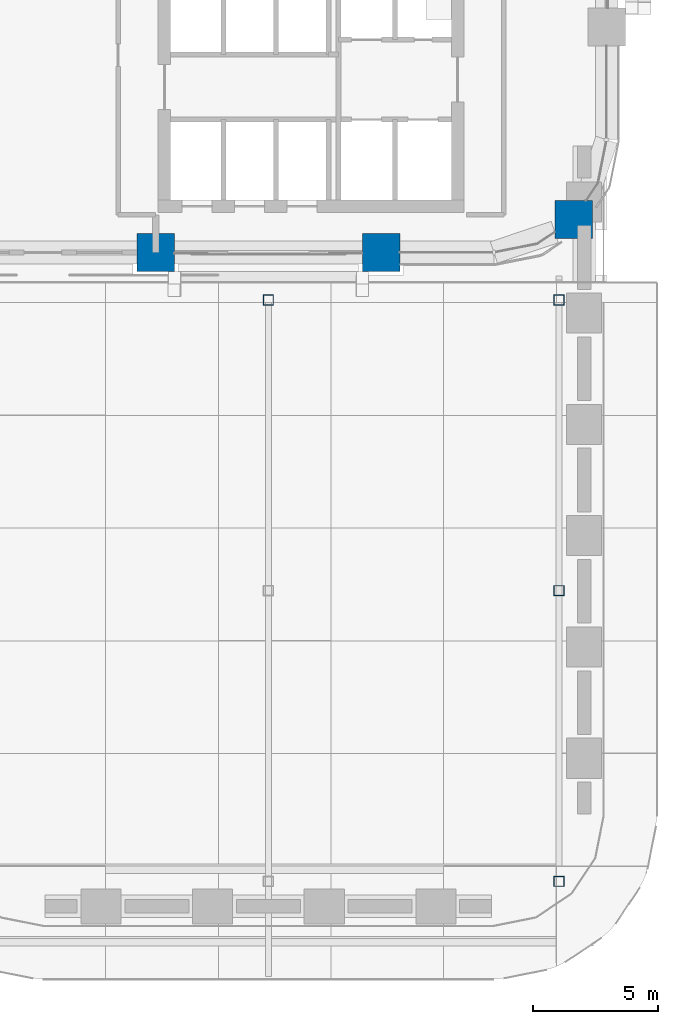
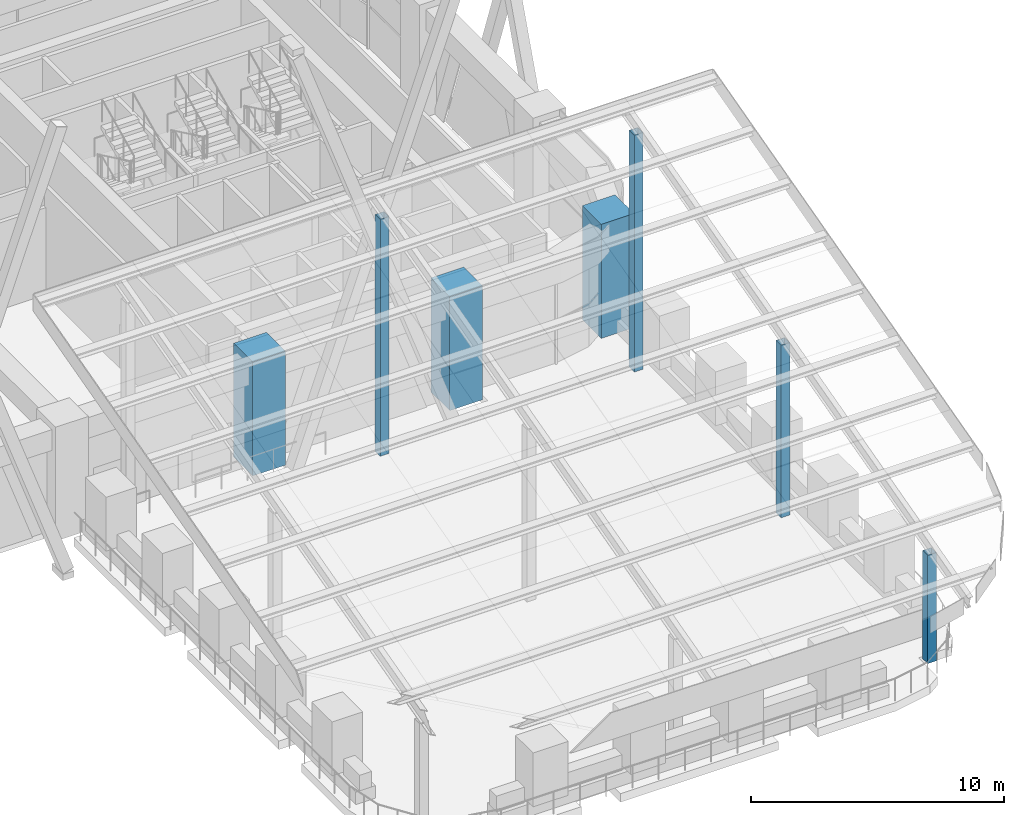
# One storey, part 2 of 22: 7 columns.
"""IFC4 building model written with IfcOpenShell, lengths in metres."""

from ifc_helpers import new_model, si_unit, direction, frame, origin, origin_2d, place, context, subcontext, project, spatial, rectangle, hollow_rectangle, extrude, material, material_profile, profile_set, type_object, element, save


model = new_model("IFC4")

# Units and contexts
model_context = context("Model", 3, precision=1e-05, world=origin(), true_north=direction((0.0, 1.0)))
body_context = subcontext(model_context, "Body", "Model", "MODEL_VIEW")
ifc_project = project(units=[si_unit("LENGTHUNIT", "METRE"), si_unit("AREAUNIT", "SQUARE_METRE"), si_unit("VOLUMEUNIT", "CUBIC_METRE"), si_unit("PLANEANGLEUNIT", "RADIAN"), si_unit("MASSUNIT", "GRAM", prefix="KILO")], contexts=[model_context])

# Site, building, storey
site_placement = place(None, origin())
site = spatial("IfcSite", under=ifc_project, at=site_placement, CompositionType="ELEMENT")
building_placement = place(site_placement, origin())
building = spatial("IfcBuilding", under=site, at=building_placement, Name="Tessera Arch", CompositionType="ELEMENT")
storey_placement = place(building_placement, frame((0.0, 0.0, 129.39990234375)))
storey = spatial("IfcBuildingStorey", under=building, at=storey_placement, Name="L30", CompositionType="ELEMENT", Elevation=129.39990234375)

# Columns
ifc_material_1 = material(Name="Steel A500 Gr C", Category="steel")
ifc_material_profile_1 = material_profile(ifc_material_1, hollow_rectangle(XDim=0.406494140625, YDim=0.406494140625, WallThickness=0.0146484375, at=origin_2d()), Name="HSS16x16x5/8")
ifc_profile_set_1 = profile_set([ifc_material_profile_1], Name="Steel A500 Gr C")
column_type_1 = type_object("IfcColumnType", Name="Crown column HSS16x16x5/8", PredefinedType="COLUMN", material=ifc_profile_set_1)
column_1_placement = place(storey_placement, frame((40.5, 25.10009765625, 0.0), z_axis=(0.0, 0.0, 1.0), x_axis=(1.0, 0.0, 0.0)))
element("IfcColumn", 1, at=column_1_placement, inside=storey, type_object=column_type_1, Name="Crown column T3CC23", PredefinedType="COLUMN", context=body_context, shape_type="SweptSolid", body=[
    extrude(hollow_rectangle(XDim=0.406494140625, YDim=0.406494140625, WallThickness=0.0146484375, at=origin_2d()), origin(), (0.0, 0.0, 1.0), 11.43603515625),
])
column_2_placement = place(storey_placement, frame((52.10009765625, 1.89990234375, 0.0), z_axis=(0.0, 0.0, 1.0), x_axis=(1.0, 0.0, 0.0)))
element("IfcColumn", 2, at=column_2_placement, inside=storey, type_object=column_type_1, Name="Crown column T3CC31", PredefinedType="COLUMN", context=body_context, shape_type="SweptSolid", body=[
    extrude(hollow_rectangle(XDim=0.406494140625, YDim=0.406494140625, WallThickness=0.0146484375, at=origin_2d()), origin(), (0.0, 0.0, 1.0), 5.219482421875),
])
column_3_placement = place(storey_placement, frame((52.10009765625, 13.5, 0.0), z_axis=(0.0, 0.0, 1.0), x_axis=(1.0, 0.0, 0.0)))
element("IfcColumn", 3, at=column_3_placement, inside=storey, type_object=column_type_1, Name="Crown column T3CC32", PredefinedType="COLUMN", context=body_context, shape_type="SweptSolid", body=[
    extrude(hollow_rectangle(XDim=0.406494140625, YDim=0.406494140625, WallThickness=0.0146484375, at=origin_2d()), origin(), (0.0, 0.0, 1.0), 8.327880859375),
])
column_4_placement = place(storey_placement, frame((52.10009765625, 25.10009765625, 0.0), z_axis=(0.0, 0.0, 1.0), x_axis=(1.0, 0.0, 0.0)))
element("IfcColumn", 4, at=column_4_placement, inside=storey, type_object=column_type_1, Name="Crown column T3CC33", PredefinedType="COLUMN", context=body_context, shape_type="SweptSolid", body=[
    extrude(hollow_rectangle(XDim=0.406494140625, YDim=0.406494140625, WallThickness=0.0146484375, at=origin_2d()), origin(), (0.0, 0.0, 1.0), 11.43603515625),
])
ifc_material_2 = material(Name="Concrete C70/85", Category="concrete")
ifc_material_profile_2 = material_profile(ifc_material_2, rectangle(XDim=1.5, YDim=1.5, at=origin_2d()), Name="RC column 1500 x 1500 Concrete C70/85")
ifc_profile_set_2 = profile_set([ifc_material_profile_2], Name="Concrete C70/85")
column_type_2 = type_object("IfcColumnType", Name="RC column 1500 x 1500 Concrete C70/85", PredefinedType="COLUMN", material=ifc_profile_set_2)
for number, where, z_axis, x_axis, name in (
    (5, (36.0, 27.0, 0.0), (0.0, 0.0, 1.0), (1.0, 0.0, 0.0), "Column C5D L30"),
    (6, (45.0, 27.0, 0.0), (0.0, 0.0, 1.0), (1.0, 0.0, 0.0), "Column C6D L30"),
    (7, (52.681884765625, 28.318115234375, 0.0), (0.0, 0.0, 1.0), (1.0, 0.0, 0.0), "Column C7D L30"),
):
    element("IfcColumn", number, at=place(storey_placement, frame(where, z_axis=z_axis, x_axis=x_axis)), inside=storey, type_object=column_type_2, Name=name, PredefinedType="COLUMN", context=body_context, shape_type="SweptSolid", body=[
        extrude(rectangle(XDim=1.5, YDim=1.5, at=origin_2d()), origin(), (0.0, 0.0, 1.0), 5.5),
    ])

save(model, "model.ifc")
